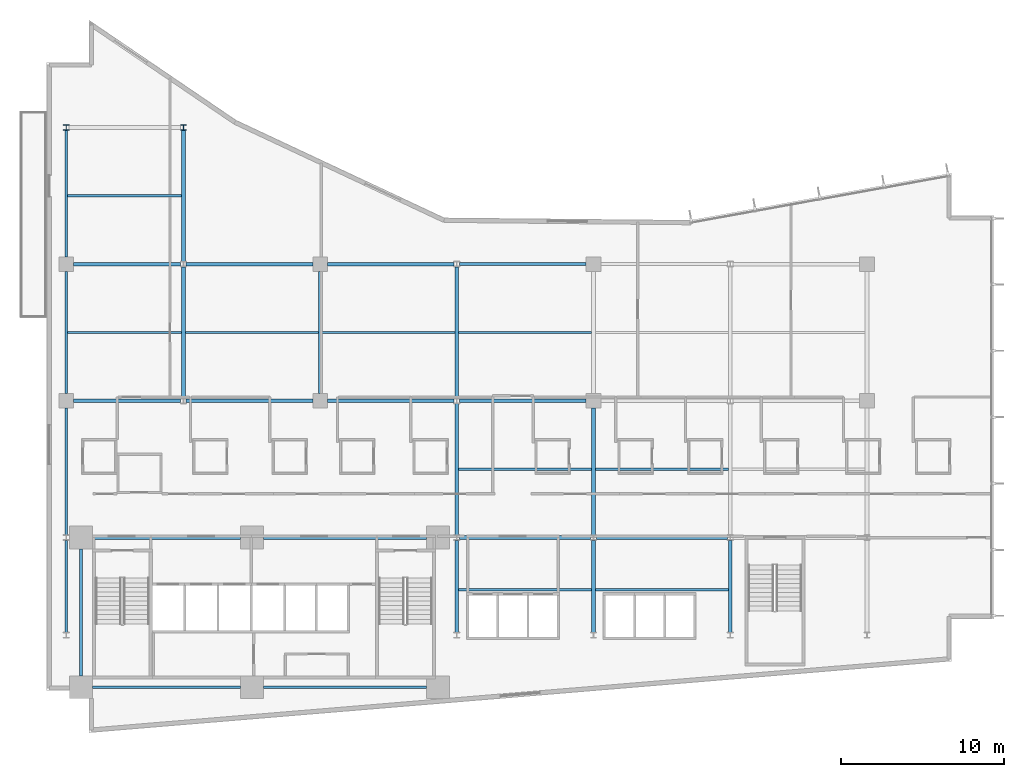
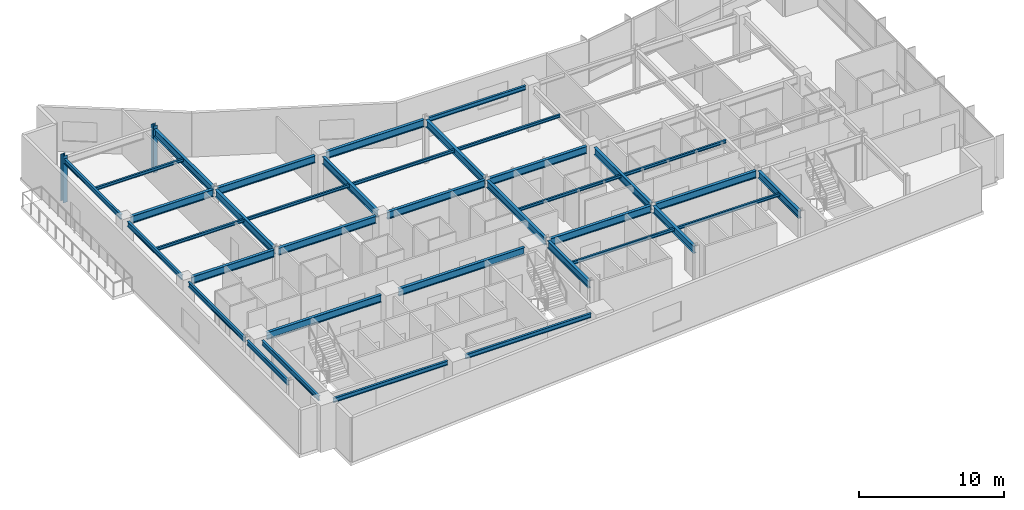
# One storey, part 3 of 21: 37 beams, 2 columns.
"""IFC4 building model written with IfcOpenShell, lengths in metres."""

from ifc_helpers import new_model, si_unit, direction, frame, origin, origin_2d, place, context, subcontext, project, spatial, i_section, extrude, material, material_profile, profile_set, type_object, element, save


model = new_model("IFC4")

# Units and contexts
model_context = context("Model", 3, precision=1e-05, world=origin(), true_north=direction((0.0, 1.0)))
body_context = subcontext(model_context, "Body", "Model", "MODEL_VIEW")
ifc_project = project(units=[si_unit("LENGTHUNIT", "METRE"), si_unit("AREAUNIT", "SQUARE_METRE"), si_unit("VOLUMEUNIT", "CUBIC_METRE"), si_unit("PLANEANGLEUNIT", "RADIAN"), si_unit("MASSUNIT", "GRAM", prefix="KILO")], contexts=[model_context])

# Site, building, storey
site_placement = place(None, origin())
site = spatial("IfcSite", under=ifc_project, at=site_placement, CompositionType="ELEMENT")
building_placement = place(site_placement, origin())
building = spatial("IfcBuilding", under=site, at=building_placement, Name="Varnakote Quay Hospital", CompositionType="ELEMENT")
storey_placement = place(building_placement, frame((0.0, 0.0, 38.300048828125)))
storey = spatial("IfcBuildingStorey", under=building, at=storey_placement, Name="L09", CompositionType="ELEMENT", Elevation=38.300048828125)

# Columns
ifc_material_1 = material(Name="Structural steel AS/NZS 3678 Grade 350 (fy 340 MPa)", Category="steel")
ifc_material_profile_1 = material_profile(ifc_material_1, i_section(OverallWidth=0.35009765625, OverallDepth=0.340087890625, WebThickness=0.01611328125, FlangeThickness=0.028076171875, at=origin_2d()), Name="350WC197")
ifc_profile_set_1 = profile_set([ifc_material_profile_1], Name="Structural steel AS/NZS 3678 Grade 350 (fy 340 MPa)")
column_type = type_object("IfcColumnType", Name="COL-STL-350WC197", PredefinedType="COLUMN", material=ifc_profile_set_1)
for number, where, z_axis, x_axis, name in (
    (1, (1.199951171875, 37.199951171875, 0.0), (0.0, 0.0, 1.0), (1.0, 0.0, 0.0), "L09 Structural Column C-1-37"),
    (2, (8.39990234375, 37.199951171875, 0.0), (0.0, 0.0, 1.0), (1.0, 0.0, 0.0), "L09 Structural Column C-8-37"),
):
    element("IfcColumn", number, at=place(storey_placement, frame(where, z_axis=z_axis, x_axis=x_axis)), inside=storey, type_object=column_type, Name=name, PredefinedType="COLUMN", context=body_context, shape_type="SweptSolid", body=[
        extrude(i_section(OverallWidth=0.35009765625, OverallDepth=0.340087890625, WebThickness=0.01611328125, FlangeThickness=0.028076171875, at=origin_2d()), origin(), (0.0, 0.0, 1.0), 3.949951171875),
    ])

# Beams
ifc_material_2 = material(Name="Structural steel AS/NZS 3679.1 Grade 350 L0 (fy 340 MPa)", Category="steel")
ifc_material_profile_2 = material_profile(ifc_material_2, i_section(OverallWidth=0.22900390625, OverallDepth=0.612060546875, WebThickness=0.011962890625, FlangeThickness=0.01953125, FilletRadius=0.013916015625, at=origin_2d()), Name="610UB125")
ifc_profile_set_2 = profile_set([ifc_material_profile_2], Name="Structural steel AS/NZS 3679.1 Grade 350 L0 (fy 340 MPa)")
beam_type_1 = type_object("IfcBeamType", Name="BM-STL-610UB125", PredefinedType="BEAM", material=ifc_profile_set_2)
beam_1_placement = place(storey_placement, frame((2.800048828125, 12.0, 3.404052734375), z_axis=(1.0, 0.0, 0.0), x_axis=(0.0, 1.0, 0.0)))
element("IfcBeam", 3, at=beam_1_placement, inside=storey, type_object=beam_type_1, Name="L09 Primary Floor Beam", PredefinedType="BEAM", context=body_context, shape_type="SweptSolid", body=[
    extrude(i_section(OverallWidth=0.22900390625, OverallDepth=0.612060546875, WebThickness=0.011962890625, FlangeThickness=0.01953125, FilletRadius=0.013916015625, at=origin_2d()), origin(), (0.0, 0.0, 1.0), 9.119873046875),
])
beam_2_placement = place(storey_placement, frame((13.320068359375, 12.0, 3.404052734375), z_axis=(1.0, 0.0, 0.0), x_axis=(0.0, 1.0, 0.0)))
element("IfcBeam", 4, at=beam_2_placement, inside=storey, type_object=beam_type_1, Name="L09 Primary Floor Beam", PredefinedType="BEAM", context=body_context, shape_type="SweptSolid", body=[
    extrude(i_section(OverallWidth=0.22900390625, OverallDepth=0.612060546875, WebThickness=0.011962890625, FlangeThickness=0.01953125, FilletRadius=0.013916015625, at=origin_2d()), origin(), (0.0, 0.0, 1.0), 10.030029296875),
])
for number, where, z_axis, x_axis, name in (
    (5, (25.375, 12.0, 3.404052734375), (1.0, 0.0, 0.0), (0.0, 1.0, 0.0), "L09 Primary Floor Beam"),
    (6, (33.77490234375, 12.0, 3.404052734375), (1.0, 0.0, 0.0), (0.0, 1.0, 0.0), "L09 Primary Floor Beam"),
):
    element("IfcBeam", number, at=place(storey_placement, frame(where, z_axis=z_axis, x_axis=x_axis)), inside=storey, type_object=beam_type_1, Name=name, PredefinedType="BEAM", context=body_context, shape_type="SweptSolid", body=[
        extrude(i_section(OverallWidth=0.22900390625, OverallDepth=0.612060546875, WebThickness=0.011962890625, FlangeThickness=0.01953125, FilletRadius=0.013916015625, at=origin_2d()), origin(), (0.0, 0.0, 1.0), 8.050048828125),
    ])
beam_3_placement = place(storey_placement, frame((1.64990234375, 20.39990234375, 3.404052734375), z_axis=(1.0, 0.0, 0.0), x_axis=(0.0, 1.0, 0.0)))
element("IfcBeam", 7, at=beam_3_placement, inside=storey, type_object=beam_type_1, Name="L09 Primary Floor Beam", PredefinedType="BEAM", context=body_context, shape_type="SweptSolid", body=[
    extrude(i_section(OverallWidth=0.22900390625, OverallDepth=0.612060546875, WebThickness=0.011962890625, FlangeThickness=0.01953125, FilletRadius=0.013916015625, at=origin_2d()), origin(), (0.0, 0.0, 1.0), 6.5751953125),
])
beam_4_placement = place(storey_placement, frame((8.574951171875, 20.39990234375, 3.404052734375), z_axis=(1.0, 0.0, 0.0), x_axis=(0.0, 1.0, 0.0)))
element("IfcBeam", 8, at=beam_4_placement, inside=storey, type_object=beam_type_1, Name="L09 Primary Floor Beam", PredefinedType="BEAM", context=body_context, shape_type="SweptSolid", body=[
    extrude(i_section(OverallWidth=0.22900390625, OverallDepth=0.612060546875, WebThickness=0.011962890625, FlangeThickness=0.01953125, FilletRadius=0.013916015625, at=origin_2d()), origin(), (0.0, 0.0, 1.0), 7.775146484375),
])
for number, where, z_axis, x_axis, name in (
    (9, (17.25, 20.39990234375, 3.404052734375), (1.0, 0.0, 0.0), (0.0, 1.0, 0.0), "L09 Primary Floor Beam"),
    (10, (25.375, 20.39990234375, 3.404052734375), (1.0, 0.0, 0.0), (0.0, 1.0, 0.0), "L09 Primary Floor Beam"),
):
    element("IfcBeam", number, at=place(storey_placement, frame(where, z_axis=z_axis, x_axis=x_axis)), inside=storey, type_object=beam_type_1, Name=name, PredefinedType="BEAM", context=body_context, shape_type="SweptSolid", body=[
        extrude(i_section(OverallWidth=0.22900390625, OverallDepth=0.612060546875, WebThickness=0.011962890625, FlangeThickness=0.01953125, FilletRadius=0.013916015625, at=origin_2d()), origin(), (0.0, 0.0, 1.0), 7.77490234375),
    ])
beam_5_placement = place(storey_placement, frame((1.64990234375, 28.800048828125, 3.404052734375), z_axis=(1.0, 0.0, 0.0), x_axis=(0.0, 1.0, 0.0)))
element("IfcBeam", 11, at=beam_5_placement, inside=storey, type_object=beam_type_1, Name="L09 Primary Floor Beam", PredefinedType="BEAM", context=body_context, shape_type="SweptSolid", body=[
    extrude(i_section(OverallWidth=0.22900390625, OverallDepth=0.612060546875, WebThickness=0.011962890625, FlangeThickness=0.01953125, FilletRadius=0.013916015625, at=origin_2d()), origin(), (0.0, 0.0, 1.0), 6.5751953125),
])
beam_6_placement = place(storey_placement, frame((8.574951171875, 28.800048828125, 3.404052734375), z_axis=(1.0, 0.0, 0.0), x_axis=(0.0, 1.0, 0.0)))
element("IfcBeam", 12, at=beam_6_placement, inside=storey, type_object=beam_type_1, Name="L09 Primary Floor Beam", PredefinedType="BEAM", context=body_context, shape_type="SweptSolid", body=[
    extrude(i_section(OverallWidth=0.22900390625, OverallDepth=0.612060546875, WebThickness=0.011962890625, FlangeThickness=0.01953125, FilletRadius=0.013916015625, at=origin_2d()), origin(), (0.0, 0.0, 1.0), 7.775146484375),
])
beam_7_placement = place(storey_placement, frame((17.25, 28.800048828125, 3.404052734375), z_axis=(1.0, 0.0, 0.0), x_axis=(0.0, 1.0, 0.0)))
element("IfcBeam", 13, at=beam_7_placement, inside=storey, type_object=beam_type_1, Name="L09 Primary Floor Beam", PredefinedType="BEAM", context=body_context, shape_type="SweptSolid", body=[
    extrude(i_section(OverallWidth=0.22900390625, OverallDepth=0.612060546875, WebThickness=0.011962890625, FlangeThickness=0.01953125, FilletRadius=0.013916015625, at=origin_2d()), origin(), (0.0, 0.0, 1.0), 7.77490234375),
])
beam_8_placement = place(storey_placement, frame((8.39990234375, 20.570068359375, 3.404052734375), z_axis=(0.0, 1.0, 0.0), x_axis=(-1.0, 0.0, 0.0)))
element("IfcBeam", 14, at=beam_8_placement, inside=storey, type_object=beam_type_1, Name="L09 Primary Tie Beam", PredefinedType="BEAM", context=body_context, shape_type="SweptSolid", body=[
    extrude(i_section(OverallWidth=0.22900390625, OverallDepth=0.612060546875, WebThickness=0.011962890625, FlangeThickness=0.01953125, FilletRadius=0.013916015625, at=origin_2d()), origin(), (0.0, 0.0, 1.0), 8.059814453125),
])
beam_9_placement = place(storey_placement, frame((8.39990234375, 28.969970703125, 3.404052734375), z_axis=(0.0, 1.0, 0.0), x_axis=(-1.0, 0.0, 0.0)))
element("IfcBeam", 15, at=beam_9_placement, inside=storey, type_object=beam_type_1, Name="L09 Primary Tie Beam", PredefinedType="BEAM", context=body_context, shape_type="SweptSolid", body=[
    extrude(i_section(OverallWidth=0.22900390625, OverallDepth=0.612060546875, WebThickness=0.011962890625, FlangeThickness=0.01953125, FilletRadius=0.013916015625, at=origin_2d()), origin(), (0.0, 0.0, 1.0), 8.06005859375),
])
beam_10_placement = place(storey_placement, frame((16.800048828125, 20.85009765625, 3.404052734375), z_axis=(0.0, 1.0, 0.0), x_axis=(-1.0, 0.0, 0.0)))
element("IfcBeam", 16, at=beam_10_placement, inside=storey, type_object=beam_type_1, Name="L09 Primary Tie Beam", PredefinedType="BEAM", context=body_context, shape_type="SweptSolid", body=[
    extrude(i_section(OverallWidth=0.22900390625, OverallDepth=0.612060546875, WebThickness=0.011962890625, FlangeThickness=0.01953125, FilletRadius=0.013916015625, at=origin_2d()), origin(), (0.0, 0.0, 1.0), 7.5),
])
beam_11_placement = place(storey_placement, frame((25.199951171875, 6.169921875, 3.404052734375), z_axis=(0.0, 1.0, 0.0), x_axis=(-1.0, 0.0, 0.0)))
element("IfcBeam", 17, at=beam_11_placement, inside=storey, type_object=beam_type_1, Name="L09 Primary Tie Beam", PredefinedType="BEAM", context=body_context, shape_type="SweptSolid", body=[
    extrude(i_section(OverallWidth=0.22900390625, OverallDepth=0.612060546875, WebThickness=0.011962890625, FlangeThickness=0.01953125, FilletRadius=0.013916015625, at=origin_2d()), origin(), (0.0, 0.0, 1.0), 5.66015625),
])
beam_12_placement = place(storey_placement, frame((25.199951171875, 12.169921875, 3.404052734375), z_axis=(0.0, 1.0, 0.0), x_axis=(-1.0, 0.0, 0.0)))
element("IfcBeam", 18, at=beam_12_placement, inside=storey, type_object=beam_type_1, Name="L09 Primary Tie Beam", PredefinedType="BEAM", context=body_context, shape_type="SweptSolid", body=[
    extrude(i_section(OverallWidth=0.22900390625, OverallDepth=0.612060546875, WebThickness=0.011962890625, FlangeThickness=0.01953125, FilletRadius=0.013916015625, at=origin_2d()), origin(), (0.0, 0.0, 1.0), 8.06005859375),
])
beam_13_placement = place(storey_placement, frame((25.199951171875, 20.570068359375, 3.404052734375), z_axis=(0.0, 1.0, 0.0), x_axis=(-1.0, 0.0, 0.0)))
element("IfcBeam", 19, at=beam_13_placement, inside=storey, type_object=beam_type_1, Name="L09 Primary Tie Beam", PredefinedType="BEAM", context=body_context, shape_type="SweptSolid", body=[
    extrude(i_section(OverallWidth=0.22900390625, OverallDepth=0.612060546875, WebThickness=0.011962890625, FlangeThickness=0.01953125, FilletRadius=0.013916015625, at=origin_2d()), origin(), (0.0, 0.0, 1.0), 8.059814453125),
])
beam_14_placement = place(storey_placement, frame((33.60009765625, 6.169921875, 3.404052734375), z_axis=(0.0, 1.0, 0.0), x_axis=(-1.0, 0.0, 0.0)))
element("IfcBeam", 20, at=beam_14_placement, inside=storey, type_object=beam_type_1, Name="L09 Primary Tie Beam", PredefinedType="BEAM", context=body_context, shape_type="SweptSolid", body=[
    extrude(i_section(OverallWidth=0.22900390625, OverallDepth=0.612060546875, WebThickness=0.011962890625, FlangeThickness=0.01953125, FilletRadius=0.013916015625, at=origin_2d()), origin(), (0.0, 0.0, 1.0), 5.66015625),
])
beam_15_placement = place(storey_placement, frame((33.60009765625, 12.169921875, 3.404052734375), z_axis=(0.0, 1.0, 0.0), x_axis=(-1.0, 0.0, 0.0)))
element("IfcBeam", 21, at=beam_15_placement, inside=storey, type_object=beam_type_1, Name="L09 Primary Tie Beam", PredefinedType="BEAM", context=body_context, shape_type="SweptSolid", body=[
    extrude(i_section(OverallWidth=0.22900390625, OverallDepth=0.612060546875, WebThickness=0.011962890625, FlangeThickness=0.01953125, FilletRadius=0.013916015625, at=origin_2d()), origin(), (0.0, 0.0, 1.0), 7.780029296875),
])
beam_16_placement = place(storey_placement, frame((42.0, 6.169921875, 3.404052734375), z_axis=(0.0, 1.0, 0.0), x_axis=(-1.0, 0.0, 0.0)))
element("IfcBeam", 22, at=beam_16_placement, inside=storey, type_object=beam_type_1, Name="L09 Primary Tie Beam", PredefinedType="BEAM", context=body_context, shape_type="SweptSolid", body=[
    extrude(i_section(OverallWidth=0.22900390625, OverallDepth=0.612060546875, WebThickness=0.011962890625, FlangeThickness=0.01953125, FilletRadius=0.013916015625, at=origin_2d()), origin(), (0.0, 0.0, 1.0), 5.66015625),
])
ifc_material_3 = material(Name="Structural steel AS/NZS 3679.1 Grade 350 L0 (fy 340 MPa)", Category="steel")
ifc_material_profile_3 = material_profile(ifc_material_3, i_section(OverallWidth=0.14599609375, OverallDepth=0.256103515625, WebThickness=0.00634765625, FlangeThickness=0.010986328125, FilletRadius=0.0087890625, at=origin_2d()), Name="250UB37.3")
ifc_profile_set_3 = profile_set([ifc_material_profile_3], Name="Structural steel AS/NZS 3679.1 Grade 350 L0 (fy 340 MPa)")
beam_type_2 = type_object("IfcBeamType", Name="JST-STL-250UB37-3", PredefinedType="JOIST", material=ifc_profile_set_3)
beam_17_placement = place(storey_placement, frame((25.314453125, 8.800048828125, 3.58203125), z_axis=(1.0, 0.0, 0.0), x_axis=(0.0, 1.0, 0.0)))
element("IfcBeam", 23, at=beam_17_placement, inside=storey, type_object=beam_type_2, Name="L09 Composite Floor Joist", PredefinedType="JOIST", context=body_context, shape_type="SweptSolid", body=[
    extrude(i_section(OverallWidth=0.14599609375, OverallDepth=0.256103515625, WebThickness=0.00634765625, FlangeThickness=0.010986328125, FilletRadius=0.0087890625, at=origin_2d()), origin(), (0.0, 0.0, 1.0), 8.171142578125),
])
beam_18_placement = place(storey_placement, frame((33.714599609375, 8.800048828125, 3.58203125), z_axis=(1.0, 0.0, 0.0), x_axis=(0.0, 1.0, 0.0)))
element("IfcBeam", 24, at=beam_18_placement, inside=storey, type_object=beam_type_2, Name="L09 Composite Floor Joist", PredefinedType="JOIST", context=body_context, shape_type="SweptSolid", body=[
    extrude(i_section(OverallWidth=0.14599609375, OverallDepth=0.256103515625, WebThickness=0.00634765625, FlangeThickness=0.010986328125, FilletRadius=0.0087890625, at=origin_2d()), origin(), (0.0, 0.0, 1.0), 8.1708984375),
])
beam_19_placement = place(storey_placement, frame((25.314453125, 16.199951171875, 3.58203125), z_axis=(1.0, 0.0, 0.0), x_axis=(0.0, 1.0, 0.0)))
element("IfcBeam", 25, at=beam_19_placement, inside=storey, type_object=beam_type_2, Name="L09 Composite Floor Joist", PredefinedType="JOIST", context=body_context, shape_type="SweptSolid", body=[
    extrude(i_section(OverallWidth=0.14599609375, OverallDepth=0.256103515625, WebThickness=0.00634765625, FlangeThickness=0.010986328125, FilletRadius=0.0087890625, at=origin_2d()), origin(), (0.0, 0.0, 1.0), 8.171142578125),
])
beam_20_placement = place(storey_placement, frame((33.714599609375, 16.199951171875, 3.58203125), z_axis=(1.0, 0.0, 0.0), x_axis=(0.0, 1.0, 0.0)))
element("IfcBeam", 26, at=beam_20_placement, inside=storey, type_object=beam_type_2, Name="L09 Composite Floor Joist", PredefinedType="JOIST", context=body_context, shape_type="SweptSolid", body=[
    extrude(i_section(OverallWidth=0.14599609375, OverallDepth=0.256103515625, WebThickness=0.00634765625, FlangeThickness=0.010986328125, FilletRadius=0.0087890625, at=origin_2d()), origin(), (0.0, 0.0, 1.0), 8.1708984375),
])
beam_21_placement = place(storey_placement, frame((1.2890625, 24.60009765625, 3.58203125), z_axis=(1.0, 0.0, 0.0), x_axis=(0.0, 1.0, 0.0)))
element("IfcBeam", 27, at=beam_21_placement, inside=storey, type_object=beam_type_2, Name="L09 Composite Floor Joist", PredefinedType="JOIST", context=body_context, shape_type="SweptSolid", body=[
    extrude(i_section(OverallWidth=0.14599609375, OverallDepth=0.256103515625, WebThickness=0.00634765625, FlangeThickness=0.010986328125, FilletRadius=0.0087890625, at=origin_2d()), origin(), (0.0, 0.0, 1.0), 6.996337890625),
])
beam_22_placement = place(storey_placement, frame((8.514404296875, 24.60009765625, 3.58203125), z_axis=(1.0, 0.0, 0.0), x_axis=(0.0, 1.0, 0.0)))
element("IfcBeam", 28, at=beam_22_placement, inside=storey, type_object=beam_type_2, Name="L09 Composite Floor Joist", PredefinedType="JOIST", context=body_context, shape_type="SweptSolid", body=[
    extrude(i_section(OverallWidth=0.14599609375, OverallDepth=0.256103515625, WebThickness=0.00634765625, FlangeThickness=0.010986328125, FilletRadius=0.0087890625, at=origin_2d()), origin(), (0.0, 0.0, 1.0), 8.171142578125),
])
beam_23_placement = place(storey_placement, frame((16.91455078125, 24.60009765625, 3.58203125), z_axis=(1.0, 0.0, 0.0), x_axis=(0.0, 1.0, 0.0)))
element("IfcBeam", 29, at=beam_23_placement, inside=storey, type_object=beam_type_2, Name="L09 Composite Floor Joist", PredefinedType="JOIST", context=body_context, shape_type="SweptSolid", body=[
    extrude(i_section(OverallWidth=0.14599609375, OverallDepth=0.256103515625, WebThickness=0.00634765625, FlangeThickness=0.010986328125, FilletRadius=0.0087890625, at=origin_2d()), origin(), (0.0, 0.0, 1.0), 8.1708984375),
])
beam_24_placement = place(storey_placement, frame((25.314453125, 24.60009765625, 3.58203125), z_axis=(1.0, 0.0, 0.0), x_axis=(0.0, 1.0, 0.0)))
element("IfcBeam", 30, at=beam_24_placement, inside=storey, type_object=beam_type_2, Name="L09 Composite Floor Joist", PredefinedType="JOIST", context=body_context, shape_type="SweptSolid", body=[
    extrude(i_section(OverallWidth=0.14599609375, OverallDepth=0.256103515625, WebThickness=0.00634765625, FlangeThickness=0.010986328125, FilletRadius=0.0087890625, at=origin_2d()), origin(), (0.0, 0.0, 1.0), 8.171142578125),
])
beam_25_placement = place(storey_placement, frame((1.2890625, 33.0, 3.58203125), z_axis=(1.0, 0.0, 0.0), x_axis=(0.0, 1.0, 0.0)))
element("IfcBeam", 31, at=beam_25_placement, inside=storey, type_object=beam_type_2, Name="L09 Composite Floor Joist", PredefinedType="JOIST", context=body_context, shape_type="SweptSolid", body=[
    extrude(i_section(OverallWidth=0.14599609375, OverallDepth=0.256103515625, WebThickness=0.00634765625, FlangeThickness=0.010986328125, FilletRadius=0.0087890625, at=origin_2d()), origin(), (0.0, 0.0, 1.0), 6.996337890625),
])
ifc_material_4 = material(Name="Structural steel AS/NZS 3679.1 Grade 350 L0 (fy 340 MPa)", Category="steel")
ifc_material_profile_4 = material_profile(ifc_material_4, i_section(OverallWidth=0.172119140625, OverallDepth=0.35888671875, WebThickness=0.008056640625, FlangeThickness=0.012939453125, FilletRadius=0.011474609375, at=origin_2d()), Name="360UB56.7")
ifc_profile_set_4 = profile_set([ifc_material_profile_4], Name="Structural steel AS/NZS 3679.1 Grade 350 L0 (fy 340 MPa)")
beam_type_3 = type_object("IfcBeamType", Name="SPN-STL-360UB56-7", PredefinedType="SPANDREL", material=ifc_profile_set_4)
beam_26_placement = place(storey_placement, frame((2.800048828125, 2.800048828125, 3.530517578125), z_axis=(1.0, 0.0, 0.0), x_axis=(0.0, 1.0, 0.0)))
element("IfcBeam", 32, at=beam_26_placement, inside=storey, type_object=beam_type_3, Name="L09 Perimeter Spandrel Beam", PredefinedType="SPANDREL", context=body_context, shape_type="SweptSolid", body=[
    extrude(i_section(OverallWidth=0.172119140625, OverallDepth=0.35888671875, WebThickness=0.008056640625, FlangeThickness=0.012939453125, FilletRadius=0.011474609375, at=origin_2d()), origin(), (0.0, 0.0, 1.0), 9.119873046875),
])
beam_27_placement = place(storey_placement, frame((13.320068359375, 2.800048828125, 3.530517578125), z_axis=(1.0, 0.0, 0.0), x_axis=(0.0, 1.0, 0.0)))
element("IfcBeam", 33, at=beam_27_placement, inside=storey, type_object=beam_type_3, Name="L09 Perimeter Spandrel Beam", PredefinedType="SPANDREL", context=body_context, shape_type="SweptSolid", body=[
    extrude(i_section(OverallWidth=0.172119140625, OverallDepth=0.35888671875, WebThickness=0.008056640625, FlangeThickness=0.012939453125, FilletRadius=0.011474609375, at=origin_2d()), origin(), (0.0, 0.0, 1.0), 10.030029296875),
])
beam_28_placement = place(storey_placement, frame((25.375, 28.800048828125, 3.530517578125), z_axis=(1.0, 0.0, 0.0), x_axis=(0.0, 1.0, 0.0)))
element("IfcBeam", 34, at=beam_28_placement, inside=storey, type_object=beam_type_3, Name="L09 Perimeter Spandrel Beam", PredefinedType="SPANDREL", context=body_context, shape_type="SweptSolid", body=[
    extrude(i_section(OverallWidth=0.172119140625, OverallDepth=0.35888671875, WebThickness=0.008056640625, FlangeThickness=0.012939453125, FilletRadius=0.011474609375, at=origin_2d()), origin(), (0.0, 0.0, 1.0), 7.77490234375),
])
ifc_material_5 = material(Name="Structural steel AS/NZS 3679.1 Grade 350 L0 (fy 340 MPa)", Category="steel")
ifc_material_profile_5 = material_profile(ifc_material_5, i_section(OverallWidth=0.177978515625, OverallDepth=0.403076171875, WebThickness=0.007568359375, FlangeThickness=0.010986328125, FilletRadius=0.011474609375, at=origin_2d()), Name="410UB53.7")
ifc_profile_set_5 = profile_set([ifc_material_profile_5], Name="Structural steel AS/NZS 3679.1 Grade 350 L0 (fy 340 MPa)")
beam_type_4 = type_object("IfcBeamType", Name="SPN-STL-410UB53-7", PredefinedType="SPANDREL", material=ifc_profile_set_5)
beam_29_placement = place(storey_placement, frame((1.199951171875, 6.169921875, 3.508544921875), z_axis=(0.0, 1.0, 0.0), x_axis=(-1.0, 0.0, 0.0)))
element("IfcBeam", 35, at=beam_29_placement, inside=storey, type_object=beam_type_4, Name="L09 Perimeter Spandrel Beam", PredefinedType="SPANDREL", context=body_context, shape_type="SweptSolid", body=[
    extrude(i_section(OverallWidth=0.177978515625, OverallDepth=0.403076171875, WebThickness=0.007568359375, FlangeThickness=0.010986328125, FilletRadius=0.011474609375, at=origin_2d()), origin(), (0.0, 0.0, 1.0), 5.66015625),
])
beam_30_placement = place(storey_placement, frame((1.199951171875, 12.169921875, 3.508544921875), z_axis=(0.0, 1.0, 0.0), x_axis=(-1.0, 0.0, 0.0)))
element("IfcBeam", 36, at=beam_30_placement, inside=storey, type_object=beam_type_4, Name="L09 Perimeter Spandrel Beam", PredefinedType="SPANDREL", context=body_context, shape_type="SweptSolid", body=[
    extrude(i_section(OverallWidth=0.177978515625, OverallDepth=0.403076171875, WebThickness=0.007568359375, FlangeThickness=0.010986328125, FilletRadius=0.011474609375, at=origin_2d()), origin(), (0.0, 0.0, 1.0), 7.780029296875),
])
beam_31_placement = place(storey_placement, frame((1.199951171875, 20.85009765625, 3.508544921875), z_axis=(0.0, 1.0, 0.0), x_axis=(-1.0, 0.0, 0.0)))
element("IfcBeam", 37, at=beam_31_placement, inside=storey, type_object=beam_type_4, Name="L09 Perimeter Spandrel Beam", PredefinedType="SPANDREL", context=body_context, shape_type="SweptSolid", body=[
    extrude(i_section(OverallWidth=0.177978515625, OverallDepth=0.403076171875, WebThickness=0.007568359375, FlangeThickness=0.010986328125, FilletRadius=0.011474609375, at=origin_2d()), origin(), (0.0, 0.0, 1.0), 7.5),
])
beam_32_placement = place(storey_placement, frame((1.199951171875, 29.25, 3.508544921875), z_axis=(0.0, 1.0, 0.0), x_axis=(-1.0, 0.0, 0.0)))
element("IfcBeam", 38, at=beam_32_placement, inside=storey, type_object=beam_type_4, Name="L09 Perimeter Spandrel Beam", PredefinedType="SPANDREL", context=body_context, shape_type="SweptSolid", body=[
    extrude(i_section(OverallWidth=0.177978515625, OverallDepth=0.403076171875, WebThickness=0.007568359375, FlangeThickness=0.010986328125, FilletRadius=0.011474609375, at=origin_2d()), origin(), (0.0, 0.0, 1.0), 7.780029296875),
])
beam_33_placement = place(storey_placement, frame((2.10009765625, 3.5, 3.508544921875), z_axis=(0.0, 1.0, 0.0), x_axis=(-1.0, 0.0, 0.0)))
element("IfcBeam", 39, at=beam_33_placement, inside=storey, type_object=beam_type_4, Name="L09 Perimeter Spandrel Beam", PredefinedType="SPANDREL", context=body_context, shape_type="SweptSolid", body=[
    extrude(i_section(OverallWidth=0.177978515625, OverallDepth=0.403076171875, WebThickness=0.007568359375, FlangeThickness=0.010986328125, FilletRadius=0.011474609375, at=origin_2d()), origin(), (0.0, 0.0, 1.0), 7.800048828125),
])

save(model, "model.ifc")
